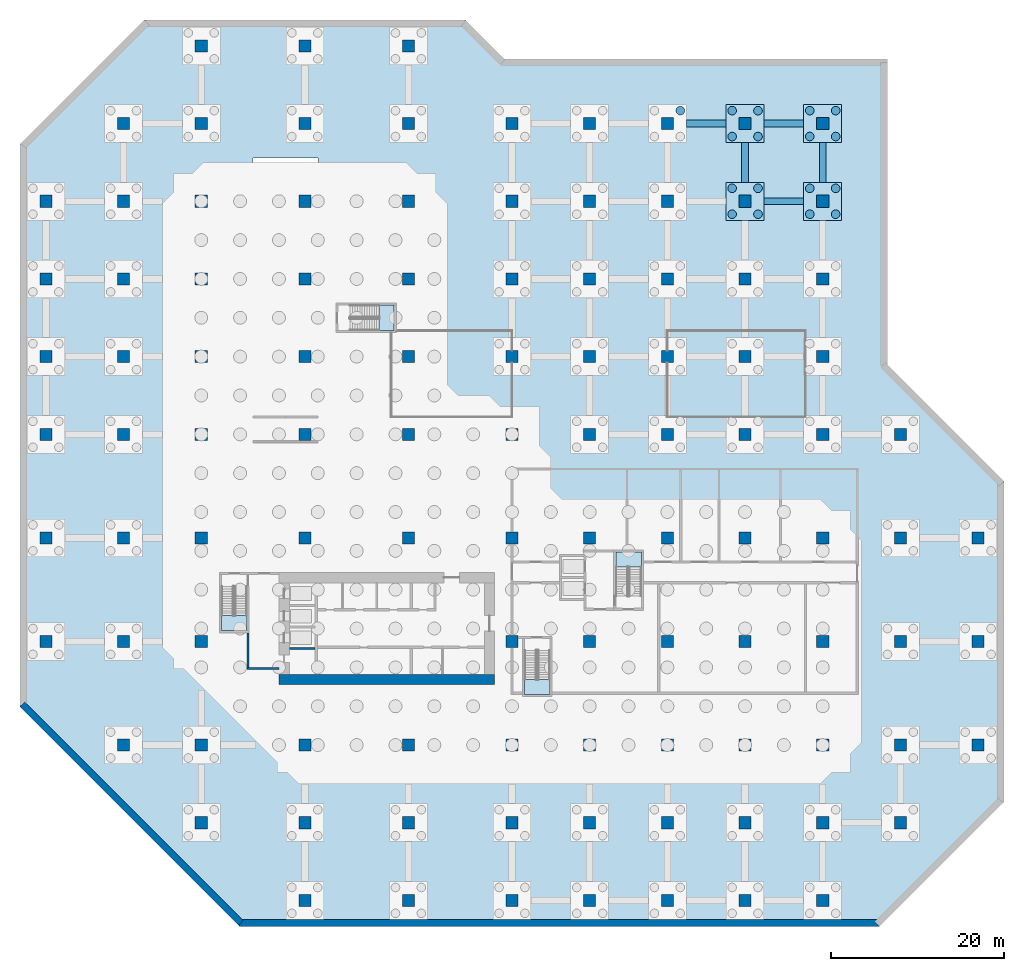
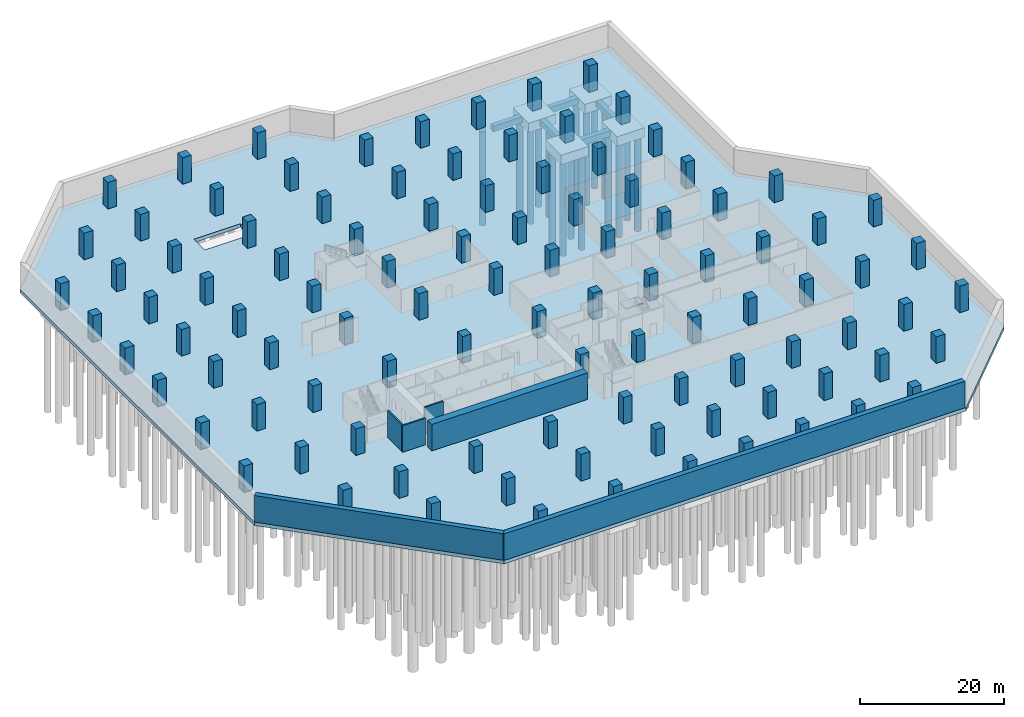
# One storey, part 5 of 13: 102 columns, 17 piles, 9 footings, 6 walls, 5 slabs, 4 elements without a shape of their own.
"""IFC4 building model written with IfcOpenShell, lengths in metres."""

from ifc_helpers import new_model, si_unit, direction, frame, frame_2d, origin, origin_2d, place, context, subcontext, project, spatial, polyline, rectangle, circle, outline, extrude, material, layer, layer_set, material_profile, profile_set, type_object, element, aggregate, save


model = new_model("IFC4")

# Units and contexts
model_context = context("Model", 3, precision=1e-05, world=origin(), true_north=direction((0.0, 1.0)))
body_context = subcontext(model_context, "Body", "Model", "MODEL_VIEW")
ifc_project = project(units=[si_unit("LENGTHUNIT", "METRE"), si_unit("AREAUNIT", "SQUARE_METRE"), si_unit("VOLUMEUNIT", "CUBIC_METRE"), si_unit("PLANEANGLEUNIT", "RADIAN"), si_unit("MASSUNIT", "GRAM", prefix="KILO")], contexts=[model_context])

# Site, building, storey
site_placement = place(None, origin())
site = spatial("IfcSite", under=ifc_project, at=site_placement, CompositionType="ELEMENT")
building_placement = place(site_placement, origin())
building = spatial("IfcBuilding", under=site, at=building_placement, Name="Chenar Terraces", CompositionType="ELEMENT")
storey_placement = place(building_placement, frame((0.0, 0.0, -13.5)))
storey = spatial("IfcBuildingStorey", under=building, at=storey_placement, Name="B3", CompositionType="ELEMENT", Elevation=-13.5)

# Piles
ifc_material_1 = material(Name="Concrete C40/50 sulfate-resisting", Category="concrete")
ifc_material_profile_1 = material_profile(ifc_material_1, circle(Radius=0.5, at=origin_2d()), Name="BP 1000")
ifc_profile_set_1 = profile_set([ifc_material_profile_1], Name="Concrete C40/50 sulfate-resisting")
pile_type = type_object("IfcPileType", Name="Bored pile 1000", PredefinedType="BORED", material=ifc_profile_set_1)
for number, where, z_axis, x_axis, name in (
    (1, (55.5, 73.5, -2.10009765625), (0.0, 0.0, -1.0), (1.0, 0.0, 0.0), "Pile 10/M 4"),
    (2, (61.5, 61.5, -2.10009765625), (0.0, 0.0, -1.0), (1.0, 0.0, 0.0), "Pile 11/L 1"),
    (3, (64.5, 61.5, -2.10009765625), (0.0, 0.0, -1.0), (1.0, 0.0, 0.0), "Pile 11/L 2"),
    (4, (61.5, 64.5, -2.10009765625), (0.0, 0.0, -1.0), (1.0, 0.0, 0.0), "Pile 11/L 3"),
    (5, (64.5, 64.5, -2.10009765625), (0.0, 0.0, -1.0), (1.0, 0.0, 0.0), "Pile 11/L 4"),
    (6, (61.5, 70.5, -2.10009765625), (0.0, 0.0, -1.0), (1.0, 0.0, 0.0), "Pile 11/M 1"),
    (7, (64.5, 70.5, -2.10009765625), (0.0, 0.0, -1.0), (1.0, 0.0, 0.0), "Pile 11/M 2"),
    (8, (61.5, 73.5, -2.10009765625), (0.0, 0.0, -1.0), (1.0, 0.0, 0.0), "Pile 11/M 3"),
    (9, (64.5, 73.5, -2.10009765625), (0.0, 0.0, -1.0), (1.0, 0.0, 0.0), "Pile 11/M 4"),
    (10, (70.5, 61.5, -2.10009765625), (0.0, 0.0, -1.0), (1.0, 0.0, 0.0), "Pile 12/L 1"),
    (11, (73.5, 61.5, -2.10009765625), (0.0, 0.0, -1.0), (1.0, 0.0, 0.0), "Pile 12/L 2"),
    (12, (70.5, 64.5, -2.10009765625), (0.0, 0.0, -1.0), (1.0, 0.0, 0.0), "Pile 12/L 3"),
    (13, (73.5, 64.5, -2.10009765625), (0.0, 0.0, -1.0), (1.0, 0.0, 0.0), "Pile 12/L 4"),
    (14, (70.5, 70.5, -2.10009765625), (0.0, 0.0, -1.0), (1.0, 0.0, 0.0), "Pile 12/M 1"),
    (15, (73.5, 70.5, -2.10009765625), (0.0, 0.0, -1.0), (1.0, 0.0, 0.0), "Pile 12/M 2"),
    (16, (70.5, 73.5, -2.10009765625), (0.0, 0.0, -1.0), (1.0, 0.0, 0.0), "Pile 12/M 3"),
    (17, (73.5, 73.5, -2.10009765625), (0.0, 0.0, -1.0), (1.0, 0.0, 0.0), "Pile 12/M 4"),
):
    element("IfcPile", number, at=place(storey_placement, frame(where, z_axis=z_axis, x_axis=x_axis)), inside=storey, type_object=pile_type, Name=name, PredefinedType="BORED", context=body_context, shape_type="SweptSolid", body=[
        extrude(circle(Radius=0.5, at=origin_2d()), origin(), (0.0, 0.0, 1.0), 16.0),
    ])

# Footings
ifc_material_2 = material(Name="Concrete C40/50 sulfate-resisting", Category="concrete")
ifc_layer_1 = layer(ifc_material_2, 1.0)
ifc_layer_set_1 = layer_set([ifc_layer_1], Name="Concrete C40/50 sulfate-resisting")
footing_type_1 = type_object("IfcFootingType", Name="Footing tie beam 800 x 1000", PredefinedType="FOOTING_BEAM", material=ifc_layer_set_1)
placement_1 = place(storey_placement, frame((0.0, 0.0, -1.60009765625)))
element("IfcFooting", 18, at=placement_1, inside=storey, type_object=footing_type_1, Name="Footing tie beam 10M-10", PredefinedType="FOOTING_BEAM", context=body_context, shape_type="SweptSolid", body=[
    extrude(outline(polyline([(60.800048828125, 71.60009765625), (60.800048828125, 72.39990234375), (56.199951171875, 72.39990234375), (56.199951171875, 71.60009765625), (60.800048828125, 71.60009765625)])), origin(), (0.0, 0.0, 1.0), 1.0),
])
element("IfcFooting", 19, at=placement_1, inside=storey, type_object=footing_type_1, Name="Footing tie beam 11L-10", PredefinedType="FOOTING_BEAM", context=body_context, shape_type="SweptSolid", body=[
    extrude(outline(polyline([(69.800048828125, 62.60009765625), (69.800048828125, 63.39990234375), (65.199951171875, 63.39990234375), (65.199951171875, 62.60009765625), (69.800048828125, 62.60009765625)])), origin(), (0.0, 0.0, 1.0), 1.0),
])
element("IfcFooting", 20, at=placement_1, inside=storey, type_object=footing_type_1, Name="Footing tie beam 11L-01", PredefinedType="FOOTING_BEAM", context=body_context, shape_type="SweptSolid", body=[
    extrude(outline(polyline([(63.39990234375, 65.199951171875), (63.39990234375, 69.800048828125), (62.60009765625, 69.800048828125), (62.60009765625, 65.199951171875), (63.39990234375, 65.199951171875)])), origin(), (0.0, 0.0, 1.0), 1.0),
])
element("IfcFooting", 21, at=placement_1, inside=storey, type_object=footing_type_1, Name="Footing tie beam 11M-10", PredefinedType="FOOTING_BEAM", context=body_context, shape_type="SweptSolid", body=[
    extrude(outline(polyline([(69.800048828125, 71.60009765625), (69.800048828125, 72.39990234375), (65.199951171875, 72.39990234375), (65.199951171875, 71.60009765625), (69.800048828125, 71.60009765625)])), origin(), (0.0, 0.0, 1.0), 1.0),
])
element("IfcFooting", 22, at=placement_1, inside=storey, type_object=footing_type_1, Name="Footing tie beam 12L-01", PredefinedType="FOOTING_BEAM", context=body_context, shape_type="SweptSolid", body=[
    extrude(outline(polyline([(72.39990234375, 65.199951171875), (72.39990234375, 69.800048828125), (71.60009765625, 69.800048828125), (71.60009765625, 65.199951171875), (72.39990234375, 65.199951171875)])), origin(), (0.0, 0.0, 1.0), 1.0),
])
ifc_material_3 = material(Name="Concrete C40/50 sulfate-resisting", Category="concrete")
ifc_layer_2 = layer(ifc_material_3, 1.60009765625)
ifc_layer_set_2 = layer_set([ifc_layer_2], Name="Concrete C40/50 sulfate-resisting")
footing_type_2 = type_object("IfcFootingType", Name="Pile cap 4400 x 4400 x 1600", PredefinedType="PILE_CAP", material=ifc_layer_set_2)
placement_2 = place(storey_placement, frame((0.0, 0.0, -2.199951171875)))
element("IfcFooting", 23, at=placement_2, inside=storey, type_object=footing_type_2, Name="Pile cap 11/L", PredefinedType="PILE_CAP", context=body_context, shape_type="SweptSolid", body=[
    extrude(outline(polyline([(65.199951171875, 60.800048828125), (65.199951171875, 65.199951171875), (60.800048828125, 65.199951171875), (60.800048828125, 60.800048828125), (65.199951171875, 60.800048828125)])), origin(), (0.0, 0.0, 1.0), 1.599853515625),
])
element("IfcFooting", 24, at=placement_2, inside=storey, type_object=footing_type_2, Name="Pile cap 11/M", PredefinedType="PILE_CAP", context=body_context, shape_type="SweptSolid", body=[
    extrude(outline(polyline([(65.199951171875, 69.800048828125), (65.199951171875, 74.199951171875), (60.800048828125, 74.199951171875), (60.800048828125, 69.800048828125), (65.199951171875, 69.800048828125)])), origin(), (0.0, 0.0, 1.0), 1.599853515625),
])
element("IfcFooting", 25, at=placement_2, inside=storey, type_object=footing_type_2, Name="Pile cap 12/L", PredefinedType="PILE_CAP", context=body_context, shape_type="SweptSolid", body=[
    extrude(outline(polyline([(74.199951171875, 60.800048828125), (74.199951171875, 65.199951171875), (69.800048828125, 65.199951171875), (69.800048828125, 60.800048828125), (74.199951171875, 60.800048828125)])), origin(), (0.0, 0.0, 1.0), 1.599853515625),
])
element("IfcFooting", 26, at=placement_2, inside=storey, type_object=footing_type_2, Name="Pile cap 12/M", PredefinedType="PILE_CAP", context=body_context, shape_type="SweptSolid", body=[
    extrude(outline(polyline([(74.199951171875, 69.800048828125), (74.199951171875, 74.199951171875), (69.800048828125, 74.199951171875), (69.800048828125, 69.800048828125), (74.199951171875, 69.800048828125)])), origin(), (0.0, 0.0, 1.0), 1.599853515625),
])

# Columns
ifc_material_4 = material(Name="Concrete C60/75", Category="concrete")
ifc_material_profile_2 = material_profile(ifc_material_4, rectangle(XDim=1.39990234375, YDim=1.39990234375, at=origin_2d()), Name="C 1400 x 1400")
ifc_profile_set_2 = profile_set([ifc_material_profile_2], Name="Concrete C60/75")
column_type = type_object("IfcColumnType", Name="Column C 1400 x 1400 Concrete C60/75", PredefinedType="COLUMN", material=ifc_profile_set_2)
for number, where, z_axis, x_axis, name in (
    (27, (-18.0, 12.0, 0.0), (0.0, 0.0, 1.0), (1.0, 0.0, 0.0), "Column 3/F B3"),
    (28, (-18.0, 24.0, 0.0), (0.0, 0.0, 1.0), (1.0, 0.0, 0.0), "Column 3/G B3"),
    (29, (-18.0, 36.0, 0.0), (0.0, 0.0, 1.0), (1.0, 0.0, 0.0), "Column 3/H B3"),
    (30, (-18.0, 45.0, 0.0), (0.0, 0.0, 1.0), (1.0, 0.0, 0.0), "Column 3/J B3"),
    (31, (-18.0, 54.0, 0.0), (0.0, 0.0, 1.0), (1.0, 0.0, 0.0), "Column 3/K B3"),
    (32, (-18.0, 63.0, 0.0), (0.0, 0.0, 1.0), (1.0, 0.0, 0.0), "Column 3/L B3"),
    (33, (-9.0, 0.0, 0.0), (0.0, 0.0, 1.0), (1.0, 0.0, 0.0), "Column 4/E B3"),
    (34, (-9.0, 12.0, 0.0), (0.0, 0.0, 1.0), (1.0, 0.0, 0.0), "Column 4/F B3"),
    (35, (-9.0, 24.0, 0.0), (0.0, 0.0, 1.0), (1.0, 0.0, 0.0), "Column 4/G B3"),
    (36, (-9.0, 36.0, 0.0), (0.0, 0.0, 1.0), (1.0, 0.0, 0.0), "Column 4/H B3"),
    (37, (-9.0, 45.0, 0.0), (0.0, 0.0, 1.0), (1.0, 0.0, 0.0), "Column 4/J B3"),
    (38, (-9.0, 54.0, 0.0), (0.0, 0.0, 1.0), (1.0, 0.0, 0.0), "Column 4/K B3"),
    (39, (-9.0, 63.0, 0.0), (0.0, 0.0, 1.0), (1.0, 0.0, 0.0), "Column 4/L B3"),
    (40, (-9.0, 72.0, 0.0), (0.0, 0.0, 1.0), (1.0, 0.0, 0.0), "Column 4/M B3"),
    (41, (0.0, -9.0, 0.0), (0.0, 0.0, 1.0), (1.0, 0.0, 0.0), "Column 5/D B3"),
    (42, (0.0, 0.0, 0.0), (0.0, 0.0, 1.0), (1.0, 0.0, 0.0), "Column 5/E B3"),
    (43, (0.0, 12.0, 0.0), (0.0, 0.0, 1.0), (1.0, 0.0, 0.0), "Column 5/F B3"),
    (44, (0.0, 24.0, 0.0), (0.0, 0.0, 1.0), (1.0, 0.0, 0.0), "Column 5/G B3"),
    (45, (0.0, 36.0, 0.0), (0.0, 0.0, 1.0), (1.0, 0.0, 0.0), "Column 5/H B3"),
    (46, (0.0, 45.0, 0.0), (0.0, 0.0, 1.0), (1.0, 0.0, 0.0), "Column 5/J B3"),
    (47, (0.0, 54.0, 0.0), (0.0, 0.0, 1.0), (1.0, 0.0, 0.0), "Column 5/K B3"),
    (48, (0.0, 63.0, 0.0), (0.0, 0.0, 1.0), (1.0, 0.0, 0.0), "Column 5/L B3"),
    (49, (0.0, 72.0, 0.0), (0.0, 0.0, 1.0), (1.0, 0.0, 0.0), "Column 5/M B3"),
    (50, (0.0, 81.0, 0.0), (0.0, 0.0, 1.0), (1.0, 0.0, 0.0), "Column 5/N B3"),
    (51, (12.0, -18.0, 0.0), (0.0, 0.0, 1.0), (1.0, 0.0, 0.0), "Column 6/C B3"),
    (52, (12.0, -9.0, 0.0), (0.0, 0.0, 1.0), (1.0, 0.0, 0.0), "Column 6/D B3"),
    (53, (12.0, 0.0, 0.0), (0.0, 0.0, 1.0), (1.0, 0.0, 0.0), "Column 6/E B3"),
    (54, (12.0, 24.0, 0.0), (0.0, 0.0, 1.0), (1.0, 0.0, 0.0), "Column 6/G B3"),
    (55, (12.0, 36.0, 0.0), (0.0, 0.0, 1.0), (1.0, 0.0, 0.0), "Column 6/H B3"),
    (56, (12.0, 45.0, 0.0), (0.0, 0.0, 1.0), (1.0, 0.0, 0.0), "Column 6/J B3"),
    (57, (12.0, 54.0, 0.0), (0.0, 0.0, 1.0), (1.0, 0.0, 0.0), "Column 6/K B3"),
    (58, (12.0, 63.0, 0.0), (0.0, 0.0, 1.0), (1.0, 0.0, 0.0), "Column 6/L B3"),
    (59, (12.0, 72.0, 0.0), (0.0, 0.0, 1.0), (1.0, 0.0, 0.0), "Column 6/M B3"),
    (60, (12.0, 81.0, 0.0), (0.0, 0.0, 1.0), (1.0, 0.0, 0.0), "Column 6/N B3"),
    (61, (24.0, -18.0, 0.0), (0.0, 0.0, 1.0), (1.0, 0.0, 0.0), "Column 7/C B3"),
    (62, (24.0, -9.0, 0.0), (0.0, 0.0, 1.0), (1.0, 0.0, 0.0), "Column 7/D B3"),
    (63, (24.0, 0.0, 0.0), (0.0, 0.0, 1.0), (1.0, 0.0, 0.0), "Column 7/E B3"),
    (64, (24.0, 24.0, 0.0), (0.0, 0.0, 1.0), (1.0, 0.0, 0.0), "Column 7/G B3"),
    (65, (24.0, 36.0, 0.0), (0.0, 0.0, 1.0), (1.0, 0.0, 0.0), "Column 7/H B3"),
    (66, (24.0, 45.0, 0.0), (0.0, 0.0, 1.0), (1.0, 0.0, 0.0), "Column 7/J B3"),
    (67, (24.0, 54.0, 0.0), (0.0, 0.0, 1.0), (1.0, 0.0, 0.0), "Column 7/K B3"),
    (68, (24.0, 63.0, 0.0), (0.0, 0.0, 1.0), (1.0, 0.0, 0.0), "Column 7/L B3"),
    (69, (24.0, 72.0, 0.0), (0.0, 0.0, 1.0), (1.0, 0.0, 0.0), "Column 7/M B3"),
    (70, (24.0, 81.0, 0.0), (0.0, 0.0, 1.0), (1.0, 0.0, 0.0), "Column 7/N B3"),
    (71, (36.0, -18.0, 0.0), (0.0, 0.0, 1.0), (1.0, 0.0, 0.0), "Column 8/C B3"),
    (72, (36.0, -9.0, 0.0), (0.0, 0.0, 1.0), (1.0, 0.0, 0.0), "Column 8/D B3"),
    (73, (36.0, 0.0, 0.0), (0.0, 0.0, 1.0), (1.0, 0.0, 0.0), "Column 8/E B3"),
    (74, (36.0, 12.0, 0.0), (0.0, 0.0, 1.0), (1.0, 0.0, 0.0), "Column 8/F B3"),
    (75, (36.0, 24.0, 0.0), (0.0, 0.0, 1.0), (1.0, 0.0, 0.0), "Column 8/G B3"),
    (76, (36.0, 36.0, 0.0), (0.0, 0.0, 1.0), (1.0, 0.0, 0.0), "Column 8/H B3"),
    (77, (36.0, 45.0, 0.0), (0.0, 0.0, 1.0), (1.0, 0.0, 0.0), "Column 8/J B3"),
    (78, (36.0, 54.0, 0.0), (0.0, 0.0, 1.0), (1.0, 0.0, 0.0), "Column 8/K B3"),
    (79, (36.0, 63.0, 0.0), (0.0, 0.0, 1.0), (1.0, 0.0, 0.0), "Column 8/L B3"),
    (80, (36.0, 72.0, 0.0), (0.0, 0.0, 1.0), (1.0, 0.0, 0.0), "Column 8/M B3"),
    (81, (45.0, -18.0, 0.0), (0.0, 0.0, 1.0), (1.0, 0.0, 0.0), "Column 9/C B3"),
    (82, (45.0, -9.0, 0.0), (0.0, 0.0, 1.0), (1.0, 0.0, 0.0), "Column 9/D B3"),
    (83, (45.0, 0.0, 0.0), (0.0, 0.0, 1.0), (1.0, 0.0, 0.0), "Column 9/E B3"),
    (84, (45.0, 12.0, 0.0), (0.0, 0.0, 1.0), (1.0, 0.0, 0.0), "Column 9/F B3"),
    (85, (45.0, 24.0, 0.0), (0.0, 0.0, 1.0), (1.0, 0.0, 0.0), "Column 9/G B3"),
    (86, (45.0, 36.0, 0.0), (0.0, 0.0, 1.0), (1.0, 0.0, 0.0), "Column 9/H B3"),
    (87, (45.0, 45.0, 0.0), (0.0, 0.0, 1.0), (1.0, 0.0, 0.0), "Column 9/J B3"),
    (88, (45.0, 54.0, 0.0), (0.0, 0.0, 1.0), (1.0, 0.0, 0.0), "Column 9/K B3"),
    (89, (45.0, 63.0, 0.0), (0.0, 0.0, 1.0), (1.0, 0.0, 0.0), "Column 9/L B3"),
    (90, (45.0, 72.0, 0.0), (0.0, 0.0, 1.0), (1.0, 0.0, 0.0), "Column 9/M B3"),
    (91, (54.0, -18.0, 0.0), (0.0, 0.0, 1.0), (1.0, 0.0, 0.0), "Column 10/C B3"),
    (92, (54.0, -9.0, 0.0), (0.0, 0.0, 1.0), (1.0, 0.0, 0.0), "Column 10/D B3"),
    (93, (54.0, 0.0, 0.0), (0.0, 0.0, 1.0), (1.0, 0.0, 0.0), "Column 10/E B3"),
    (94, (54.0, 12.0, 0.0), (0.0, 0.0, 1.0), (1.0, 0.0, 0.0), "Column 10/F B3"),
    (95, (54.0, 24.0, 0.0), (0.0, 0.0, 1.0), (1.0, 0.0, 0.0), "Column 10/G B3"),
    (96, (54.0, 36.0, 0.0), (0.0, 0.0, 1.0), (1.0, 0.0, 0.0), "Column 10/H B3"),
    (97, (54.0, 45.0, 0.0), (0.0, 0.0, 1.0), (1.0, 0.0, 0.0), "Column 10/J B3"),
    (98, (54.0, 54.0, 0.0), (0.0, 0.0, 1.0), (1.0, 0.0, 0.0), "Column 10/K B3"),
    (99, (54.0, 63.0, 0.0), (0.0, 0.0, 1.0), (1.0, 0.0, 0.0), "Column 10/L B3"),
    (100, (54.0, 72.0, 0.0), (0.0, 0.0, 1.0), (1.0, 0.0, 0.0), "Column 10/M B3"),
    (101, (63.0, -18.0, 0.0), (0.0, 0.0, 1.0), (1.0, 0.0, 0.0), "Column 11/C B3"),
    (102, (63.0, -9.0, 0.0), (0.0, 0.0, 1.0), (1.0, 0.0, 0.0), "Column 11/D B3"),
    (103, (63.0, 0.0, 0.0), (0.0, 0.0, 1.0), (1.0, 0.0, 0.0), "Column 11/E B3"),
    (104, (63.0, 12.0, 0.0), (0.0, 0.0, 1.0), (1.0, 0.0, 0.0), "Column 11/F B3"),
    (105, (63.0, 24.0, 0.0), (0.0, 0.0, 1.0), (1.0, 0.0, 0.0), "Column 11/G B3"),
    (106, (63.0, 36.0, 0.0), (0.0, 0.0, 1.0), (1.0, 0.0, 0.0), "Column 11/H B3"),
    (107, (63.0, 45.0, 0.0), (0.0, 0.0, 1.0), (1.0, 0.0, 0.0), "Column 11/J B3"),
    (108, (63.0, 54.0, 0.0), (0.0, 0.0, 1.0), (1.0, 0.0, 0.0), "Column 11/K B3"),
    (109, (63.0, 63.0, 0.0), (0.0, 0.0, 1.0), (1.0, 0.0, 0.0), "Column 11/L B3"),
    (110, (63.0, 72.0, 0.0), (0.0, 0.0, 1.0), (1.0, 0.0, 0.0), "Column 11/M B3"),
    (111, (72.0, -18.0, 0.0), (0.0, 0.0, 1.0), (1.0, 0.0, 0.0), "Column 12/C B3"),
    (112, (72.0, -9.0, 0.0), (0.0, 0.0, 1.0), (1.0, 0.0, 0.0), "Column 12/D B3"),
    (113, (72.0, 0.0, 0.0), (0.0, 0.0, 1.0), (1.0, 0.0, 0.0), "Column 12/E B3"),
    (114, (72.0, 12.0, 0.0), (0.0, 0.0, 1.0), (1.0, 0.0, 0.0), "Column 12/F B3"),
    (115, (72.0, 24.0, 0.0), (0.0, 0.0, 1.0), (1.0, 0.0, 0.0), "Column 12/G B3"),
    (116, (72.0, 36.0, 0.0), (0.0, 0.0, 1.0), (1.0, 0.0, 0.0), "Column 12/H B3"),
    (117, (72.0, 45.0, 0.0), (0.0, 0.0, 1.0), (1.0, 0.0, 0.0), "Column 12/J B3"),
    (118, (72.0, 54.0, 0.0), (0.0, 0.0, 1.0), (1.0, 0.0, 0.0), "Column 12/K B3"),
    (119, (72.0, 63.0, 0.0), (0.0, 0.0, 1.0), (1.0, 0.0, 0.0), "Column 12/L B3"),
    (120, (72.0, 72.0, 0.0), (0.0, 0.0, 1.0), (1.0, 0.0, 0.0), "Column 12/M B3"),
    (121, (81.0, -9.0, 0.0), (0.0, 0.0, 1.0), (1.0, 0.0, 0.0), "Column 13/D B3"),
    (122, (81.0, 0.0, 0.0), (0.0, 0.0, 1.0), (1.0, 0.0, 0.0), "Column 13/E B3"),
    (123, (81.0, 12.0, 0.0), (0.0, 0.0, 1.0), (1.0, 0.0, 0.0), "Column 13/F B3"),
    (124, (81.0, 24.0, 0.0), (0.0, 0.0, 1.0), (1.0, 0.0, 0.0), "Column 13/G B3"),
    (125, (81.0, 36.0, 0.0), (0.0, 0.0, 1.0), (1.0, 0.0, 0.0), "Column 13/H B3"),
    (126, (90.0, 0.0, 0.0), (0.0, 0.0, 1.0), (1.0, 0.0, 0.0), "Column 14/E B3"),
    (127, (90.0, 12.0, 0.0), (0.0, 0.0, 1.0), (1.0, 0.0, 0.0), "Column 14/F B3"),
    (128, (90.0, 24.0, 0.0), (0.0, 0.0, 1.0), (1.0, 0.0, 0.0), "Column 14/G B3"),
):
    element("IfcColumn", number, at=place(storey_placement, frame(where, z_axis=z_axis, x_axis=x_axis)), inside=storey, type_object=column_type, Name=name, PredefinedType="COLUMN", context=body_context, shape_type="SweptSolid", body=[
        extrude(rectangle(XDim=1.39990234375, YDim=1.39990234375, at=origin_2d()), origin(), (0.0, 0.0, 1.0), 4.5),
    ])

# Slab
ifc_material_5 = material(Name="Concrete C40/50", Category="concrete")
ifc_layer_3 = layer(ifc_material_5, 0.60009765625)
ifc_layer_set_3 = layer_set([ifc_layer_3], Name="Concrete C40/50")
slab_type_1 = type_object("IfcSlabType", Name="Base slab 600 Concrete C40/50", PredefinedType="BASESLAB", material=ifc_layer_set_3)
slab_1_placement = place(storey_placement, frame((0.0, 0.0, -0.60009765625)))
element("IfcSlab", 129, at=slab_1_placement, inside=storey, type_object=slab_type_1, Name="Base slab B3", PredefinedType="BASESLAB", context=body_context, shape_type="SweptSolid", body=[
    extrude(outline(polyline([(79.5, 79.5), (79.5, 44.0771484375), (93.0, 30.5771484375), (93.0, -6.5771484375), (78.5771484375, -21.0), (4.4228515625, -21.0), (-21.0, 4.4228515625), (-21.0, 69.5771484375), (-6.5771484375, 84.0), (30.5771484375, 84.0), (35.0771484375, 79.5), (79.5, 79.5)]), holes=[polyline([(13.5, 68.0), (6.0, 68.0), (6.0, 65.0), (13.5, 65.0), (13.5, 68.0)])]), origin(), (0.0, 0.0, 1.0), 0.60009765625),
])

# Stair, slab
ifc_material_6 = material(Name="Reinforced concrete C40/50", Category="concrete")
stair_type = type_object("IfcStairType", Name="Core stair 1400 half-turn", PredefinedType="HALF_TURN_STAIR", material=ifc_material_6)
placement_3 = place(storey_placement, origin())
stair_1 = element("IfcStair", 130, at=placement_3, inside=storey, type_object=stair_type, Name="B3 Stair 1", PredefinedType="HALF_TURN_STAIR")
ifc_material_7 = material(Name="Reinforced concrete C40/50", Category="concrete")
ifc_layer_4 = layer(ifc_material_7, 0.199951171875)
ifc_layer_set_4 = layer_set([ifc_layer_4], Name="Reinforced concrete C40/50")
slab_type_2 = type_object("IfcSlabType", Name="Core stair landing 200", PredefinedType="LANDING", material=ifc_layer_set_4)
placement_4 = place(storey_placement, frame((0.0, 0.0, 2.050048828125)))
slab_2 = element("IfcSlab", 131, at=placement_4, type_object=slab_type_2, Name="ST1 landing 1", PredefinedType="LANDING", context=body_context, shape_type="SweptSolid", body=[
    extrude(outline(polyline([(2.35009765625, 14.989990234375), (2.35009765625, 13.25), (5.300048828125, 13.25), (5.300048828125, 14.989990234375), (2.35009765625, 14.989990234375)])), origin(), (0.0, 0.0, 1.0), 0.199951171875),
])
aggregate(stair_1, [slab_2])

stair_2 = element("IfcStair", 132, at=placement_3, inside=storey, type_object=stair_type, Name="B3 Stair 2", PredefinedType="HALF_TURN_STAIR")
slab_3 = element("IfcSlab", 133, at=placement_4, type_object=slab_type_2, Name="ST2 landing 1", PredefinedType="LANDING", context=body_context, shape_type="SweptSolid", body=[
    extrude(outline(polyline([(37.449951171875, 7.590087890625), (37.449951171875, 5.85009765625), (40.39990234375, 5.85009765625), (40.39990234375, 7.590087890625), (37.449951171875, 7.590087890625)])), origin(), (0.0, 0.0, 1.0), 0.199951171875),
])
aggregate(stair_2, [slab_3])

stair_3 = element("IfcStair", 134, at=placement_3, inside=storey, type_object=stair_type, Name="B3 Stair 3", PredefinedType="HALF_TURN_STAIR")
slab_4 = element("IfcSlab", 135, at=placement_4, type_object=slab_type_2, Name="ST3 landing 1", PredefinedType="LANDING", context=body_context, shape_type="SweptSolid", body=[
    extrude(outline(polyline([(50.97509765625, 20.610107421875), (50.97509765625, 22.35009765625), (48.02490234375, 22.35009765625), (48.02490234375, 20.610107421875), (50.97509765625, 20.610107421875)])), origin(), (0.0, 0.0, 1.0), 0.199951171875),
])
aggregate(stair_3, [slab_4])

stair_4 = element("IfcStair", 136, at=placement_3, inside=storey, type_object=stair_type, Name="B3 Stair 4", PredefinedType="HALF_TURN_STAIR")
slab_5 = element("IfcSlab", 137, at=placement_4, type_object=slab_type_2, Name="ST4 landing 1", PredefinedType="LANDING", context=body_context, shape_type="SweptSolid", body=[
    extrude(outline(polyline([(20.610107421875, 48.02490234375), (22.35009765625, 48.02490234375), (22.35009765625, 50.97509765625), (20.610107421875, 50.97509765625), (20.610107421875, 48.02490234375)])), origin(), (0.0, 0.0, 1.0), 0.199951171875),
])
aggregate(stair_4, [slab_5])

# Walls
ifc_material_8 = material(Name="Concrete C70/85", Category="concrete")
ifc_layer_5 = layer(ifc_material_8, 1.199951171875)
ifc_layer_set_5 = layer_set([ifc_layer_5], Name="Concrete C70/85")
wall_type_1 = type_object("IfcWallType", Name="Core wall 1200 Concrete C70/85", PredefinedType="SHEAR", material=ifc_layer_set_5)
wall_1_placement = place(storey_placement, frame((9.0, 7.60009765625, 0.0), z_axis=(0.0, 0.0, 1.0), x_axis=(1.0, 0.0, 0.0)))
element("IfcWall", 138, at=wall_1_placement, inside=storey, type_object=wall_type_1, Name="Core wall S B3", PredefinedType="SHEAR", context=body_context, shape_type="SweptSolid", body=[
    extrude(rectangle(XDim=25.0, YDim=1.199951171875, at=frame_2d((12.5, 0.0))), origin(), (0.0, 0.0, 1.0), 4.5),
])
ifc_material_9 = material(Name="Concrete C70/85", Category="concrete")
ifc_layer_6 = layer(ifc_material_9, 0.25)
ifc_layer_set_6 = layer_set([ifc_layer_6], Name="Concrete C70/85")
wall_type_2 = type_object("IfcWallType", Name="Core wall 250 Concrete C70/85", PredefinedType="SHEAR", material=ifc_layer_set_6)
wall_2_placement = place(storey_placement, frame((10.199951171875, 11.175048828125, 0.0), z_axis=(0.0, 0.0, 1.0), x_axis=(1.0, 0.0, 0.0)))
element("IfcWall", 139, at=wall_2_placement, inside=storey, type_object=wall_type_2, Name="Core wall HW0 B3", PredefinedType="SHEAR", context=body_context, shape_type="SweptSolid", body=[
    extrude(rectangle(XDim=3.0, YDim=0.25, at=frame_2d((1.5, 0.0))), origin(), (0.0, 0.0, 1.0), 4.5),
])
wall_3_placement = place(storey_placement, frame((5.300048828125, 8.875, 0.0), z_axis=(0.0, 0.0, 1.0), x_axis=(1.0, 0.0, 0.0)))
element("IfcWall", 140, at=wall_3_placement, inside=storey, type_object=wall_type_2, Name="Core wall FFL_S B3", PredefinedType="SHEAR", context=body_context, shape_type="SweptSolid", body=[
    extrude(rectangle(XDim=3.699951171875, YDim=0.25, at=frame_2d((1.85009765625, 0.0))), origin(), (0.0, 0.0, 1.0), 4.5),
])
wall_4_placement = place(storey_placement, frame((5.425048828125, 9.0, 0.0), z_axis=(0.0, 0.0, 1.0), x_axis=(0.0, 1.0, 0.0)))
element("IfcWall", 141, at=wall_4_placement, inside=storey, type_object=wall_type_2, Name="Core wall FFL_W B3", PredefinedType="SHEAR", context=body_context, shape_type="SweptSolid", body=[
    extrude(rectangle(XDim=4.0, YDim=0.25, at=frame_2d((2.0, 0.0))), origin(), (0.0, 0.0, 1.0), 4.5),
])
ifc_material_10 = material(Name="Concrete C40/50", Category="concrete")
ifc_layer_7 = layer(ifc_material_10, 0.800048828125)
ifc_layer_set_7 = layer_set([ifc_layer_7], Name="Concrete C40/50")
wall_type_3 = type_object("IfcWallType", Name="Diaphragm wall 800 Concrete C40/50", PredefinedType="SOLIDWALL", material=ifc_layer_set_7)
wall_5_placement = place(storey_placement, frame((-20.71728515625, 4.705810546875, 0.0), z_axis=(0.0, 0.0, 1.0), x_axis=(0.707103370229, -0.707110192127, 0.0)))
element("IfcWall", 142, at=wall_5_placement, inside=storey, type_object=wall_type_3, Name="Diaphragm wall B3 5", PredefinedType="SOLIDWALL", context=body_context, shape_type="SweptSolid", body=[
    extrude(rectangle(XDim=35.787841796875, YDim=0.800048828125, at=frame_2d((17.89404296875, 0.0))), origin(), (0.0, 0.0, 1.0), 4.5),
])
wall_6_placement = place(storey_placement, frame((4.4228515625, -20.60009765625, 0.0), z_axis=(0.0, 0.0, 1.0), x_axis=(1.0, 0.0, 0.0)))
element("IfcWall", 143, at=wall_6_placement, inside=storey, type_object=wall_type_3, Name="Diaphragm wall B3 6", PredefinedType="SOLIDWALL", context=body_context, shape_type="SweptSolid", body=[
    extrude(rectangle(XDim=73.98876953125, YDim=0.800048828125, at=frame_2d((36.994384765625, 0.0))), origin(), (0.0, 0.0, 1.0), 4.5),
])

save(model, "model.ifc")
